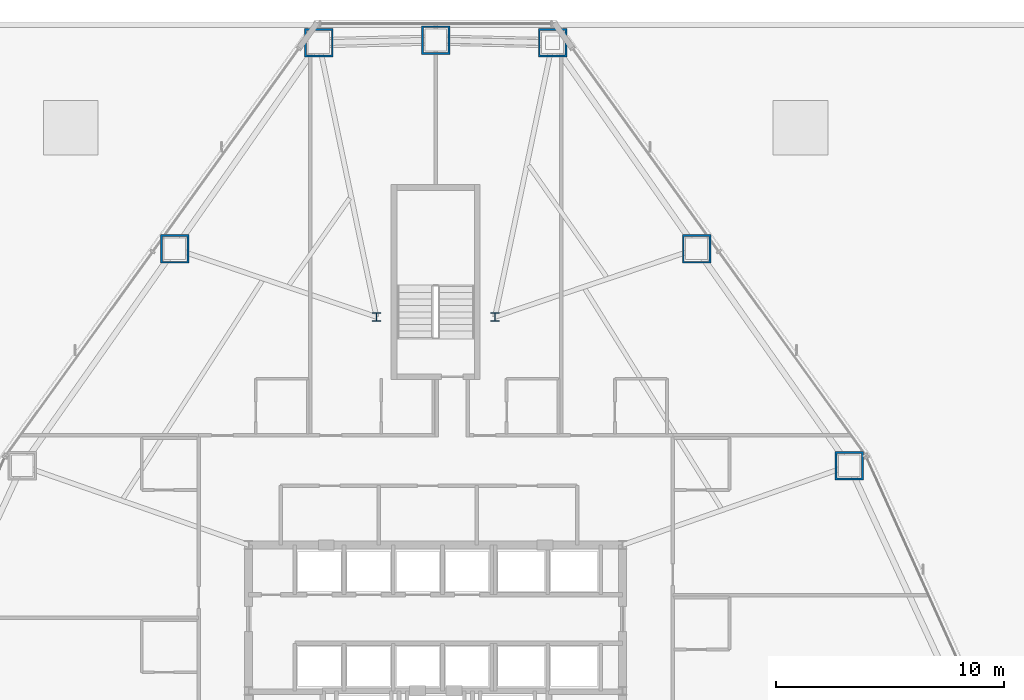
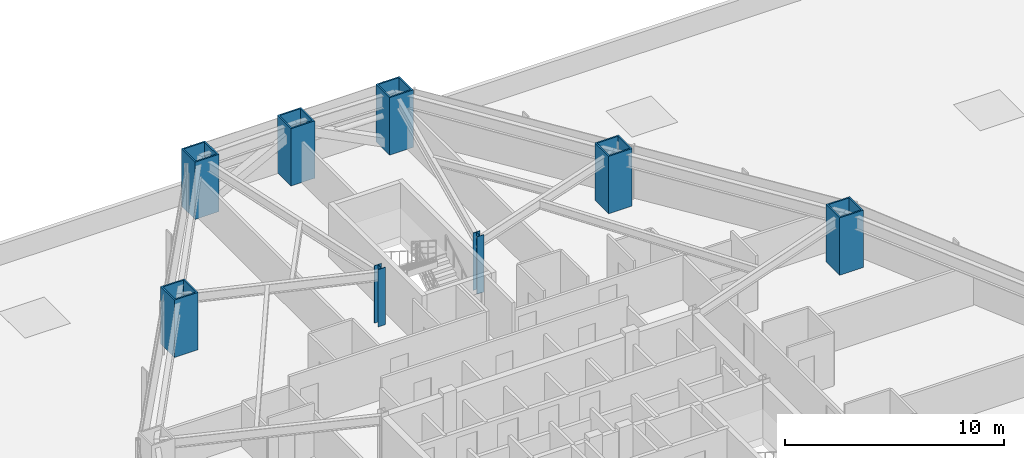
# One storey, part 3 of 17: 8 columns.
"""IFC4 building model written with IfcOpenShell, lengths in metres."""

from ifc_helpers import new_model, si_unit, direction, frame, origin, origin_2d, place, context, subcontext, project, spatial, hollow_rectangle, i_section, extrude, material, material_profile, profile_set, type_object, element, save


model = new_model("IFC4")

# Units and contexts
model_context = context("Model", 3, precision=1e-05, world=origin(), true_north=direction((0.0, 1.0)))
body_context = subcontext(model_context, "Body", "Model", "MODEL_VIEW")
ifc_project = project(units=[si_unit("LENGTHUNIT", "METRE"), si_unit("AREAUNIT", "SQUARE_METRE"), si_unit("VOLUMEUNIT", "CUBIC_METRE"), si_unit("PLANEANGLEUNIT", "RADIAN"), si_unit("MASSUNIT", "GRAM", prefix="KILO")], contexts=[model_context])

# Site, building, storey
site_placement = place(None, origin())
site = spatial("IfcSite", under=ifc_project, at=site_placement, CompositionType="ELEMENT")
building_placement = place(site_placement, origin())
building = spatial("IfcBuilding", under=site, at=building_placement, Name="Varakhsha Concourse Tower", CompositionType="ELEMENT")
storey_placement = place(building_placement, frame((0.0, 0.0, 27.199951171875)))
storey = spatial("IfcBuildingStorey", under=building, at=storey_placement, Name="L06", CompositionType="ELEMENT", Elevation=27.199951171875)

# Columns
ifc_material_1 = material(Name="Structural Steel ASTM A992 Grade 50", Category="steel")
ifc_material_profile_1 = material_profile(ifc_material_1, i_section(OverallWidth=0.3740234375, OverallDepth=0.3720703125, WebThickness=0.01611328125, FlangeThickness=0.02587890625, at=origin_2d()), Name="W14X132")
ifc_profile_set_1 = profile_set([ifc_material_profile_1], Name="Structural Steel ASTM A992 Grade 50")
column_type_1 = type_object("IfcColumnType", Name="CL-CORE-W14X132", PredefinedType="COLUMN", material=ifc_profile_set_1)
for number, where, z_axis, x_axis, name in (
    (1, (37.39990234375, 41.199951171875, 0.0), (0.0, 0.0, 1.0), (1.0, 0.0, 0.0), "L06 Core Column NS-W"),
    (2, (42.60009765625, 41.199951171875, 0.0), (0.0, 0.0, 1.0), (1.0, 0.0, 0.0), "L06 Core Column NS-E"),
):
    element("IfcColumn", number, at=place(storey_placement, frame(where, z_axis=z_axis, x_axis=x_axis)), inside=storey, type_object=column_type_1, Name=name, PredefinedType="COLUMN", context=body_context, shape_type="SweptSolid", body=[
        extrude(i_section(OverallWidth=0.3740234375, OverallDepth=0.3720703125, WebThickness=0.01611328125, FlangeThickness=0.02587890625, at=origin_2d()), origin(), (0.0, 0.0, 1.0), 3.199951171875),
    ])
ifc_material_2 = material(Name="Structural Steel ASTM A572 Grade 50", Category="steel")
ifc_material_profile_2 = material_profile(ifc_material_2, hollow_rectangle(XDim=1.25, YDim=1.25, WallThickness=0.080078125, at=origin_2d()), Name="BOX 1250x1250x80")
ifc_profile_set_2 = profile_set([ifc_material_profile_2], Name="Structural Steel ASTM A572 Grade 50")
column_type_2 = type_object("IfcColumnType", Name="CL-TUBE-1250", PredefinedType="COLUMN", material=ifc_profile_set_2)
for number, where, z_axis, x_axis, name in (
    (3, (45.1240234375, 53.223388671875, 0.0), (0.0, 0.0, 1.0), (1.0, 0.0, 0.0), "L06 Framed-Tube Column TC01"),
    (4, (40.0, 53.340087890625, 0.0), (0.0, 0.0, 1.0), (1.0, 0.0, 0.0), "L06 Framed-Tube Column TC02"),
    (5, (34.8759765625, 53.223388671875, 0.0), (0.0, 0.0, 1.0), (1.0, 0.0, 0.0), "L06 Framed-Tube Column TC03"),
    (6, (28.55859375, 44.183837890625, 0.0), (0.0, 0.0, 1.0), (1.0, 0.0, 0.0), "L06 Framed-Tube Column TC04"),
    (7, (58.134521484375, 34.669921875, 0.0), (0.0, 0.0, 1.0), (1.0, 0.0, 0.0), "L06 Framed-Tube Column TC17"),
    (8, (51.44140625, 44.183837890625, 0.0), (0.0, 0.0, 1.0), (1.0, 0.0, 0.0), "L06 Framed-Tube Column TC18"),
):
    element("IfcColumn", number, at=place(storey_placement, frame(where, z_axis=z_axis, x_axis=x_axis)), inside=storey, type_object=column_type_2, Name=name, PredefinedType="COLUMN", context=body_context, shape_type="SweptSolid", body=[
        extrude(hollow_rectangle(XDim=1.25, YDim=1.25, WallThickness=0.080078125, at=origin_2d()), origin(), (0.0, 0.0, 1.0), 3.199951171875),
    ])

save(model, "model.ifc")
